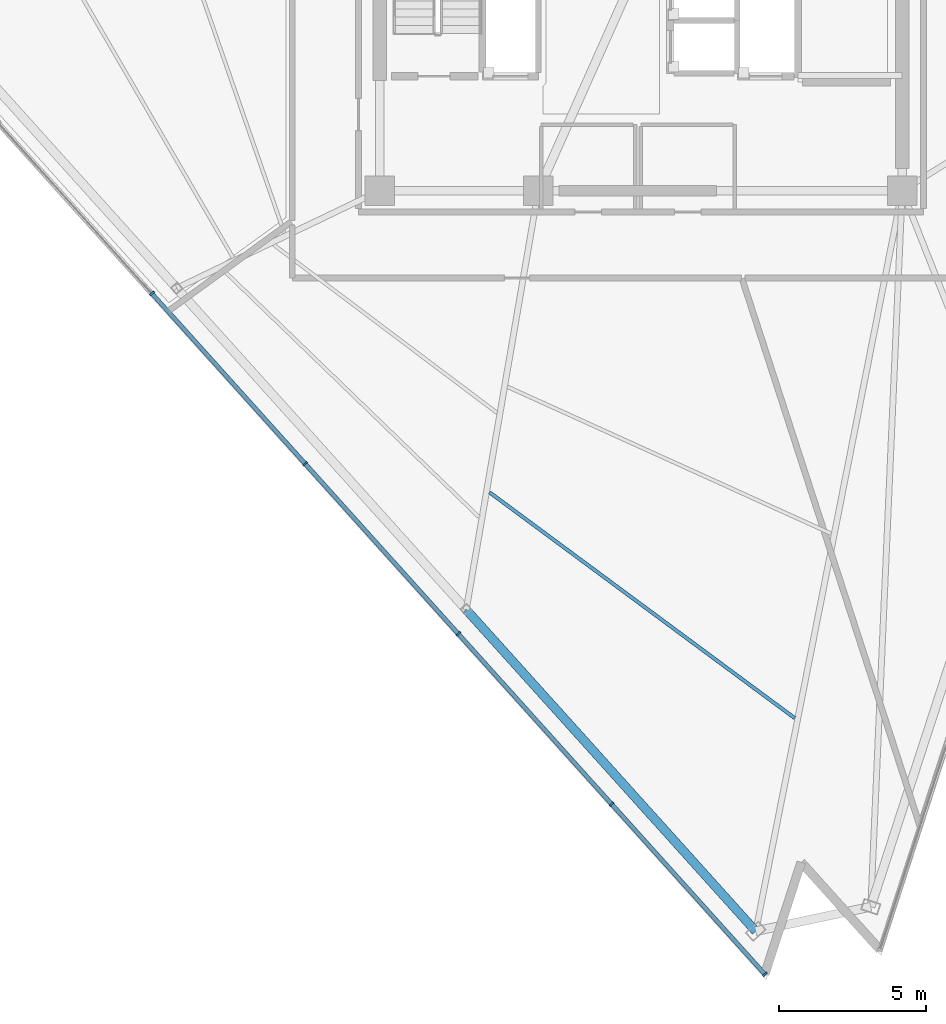
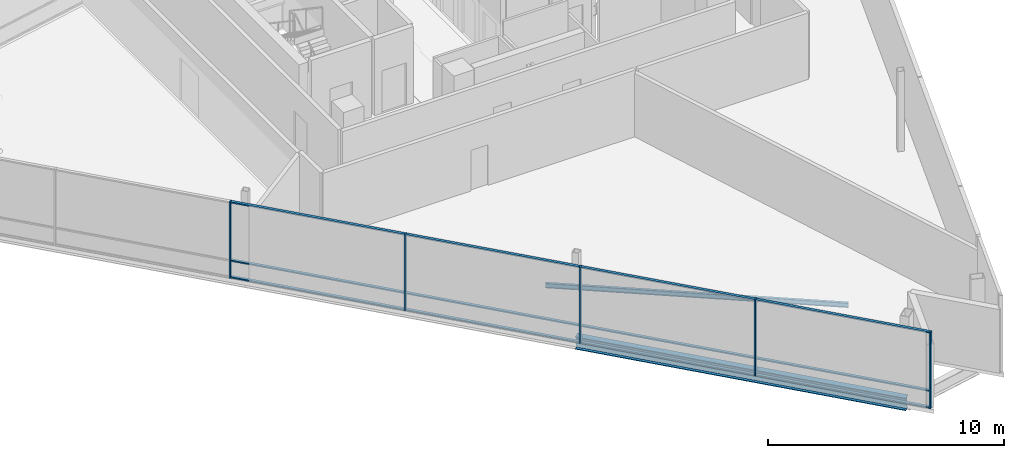
# One storey, part 3 of 16: 17 members, 2 beams, 1 element without a shape of its own.
"""IFC4 building model written with IfcOpenShell, lengths in metres."""

from ifc_helpers import new_model, si_unit, direction, frame, origin, origin_2d, place, context, subcontext, project, spatial, rectangle, i_section, extrude, material, layer, layer_set, material_profile, profile_set, type_object, element, aggregate, save


model = new_model("IFC4")

# Units and contexts
model_context = context("Model", 3, precision=1e-05, world=origin(), true_north=direction((0.0, 1.0)))
body_context = subcontext(model_context, "Body", "Model", "MODEL_VIEW")
ifc_project = project(units=[si_unit("LENGTHUNIT", "METRE"), si_unit("AREAUNIT", "SQUARE_METRE"), si_unit("VOLUMEUNIT", "CUBIC_METRE"), si_unit("PLANEANGLEUNIT", "RADIAN"), si_unit("MASSUNIT", "GRAM", prefix="KILO")], contexts=[model_context])

# Site, building, storey
site_placement = place(None, origin())
site = spatial("IfcSite", under=ifc_project, at=site_placement, CompositionType="ELEMENT")
building_placement = place(site_placement, origin())
building = spatial("IfcBuilding", under=site, at=building_placement, Name="Tharavind Bronze Gate", CompositionType="ELEMENT")
storey_placement = place(building_placement, frame((0.0, 0.0, 302.14990234375)))
storey = spatial("IfcBuildingStorey", under=building, at=storey_placement, Name="L78", CompositionType="ELEMENT", Elevation=302.14990234375)

# Curtain wall, members
ifc_material_1 = material(Name="Anodised Bronze Aluminium", Category="aluminium")
ifc_layer = layer(ifc_material_1, 0.219970703125)
ifc_layer_set = layer_set([ifc_layer], Name="Anodised Bronze Aluminium")
curtain_wall_type = type_object("IfcCurtainWallType", Name="UNITISED CURTAIN WALL CROWN", PredefinedType="USERDEFINED", material=ifc_layer_set)
curtain_wall_placement = place(storey_placement, origin())
curtain_wall = element("IfcCurtainWall", 1, at=curtain_wall_placement, inside=storey, type_object=curtain_wall_type, Name="L78 unitised curtain wall crown CW-L78-S1", ObjectType="UNITISED CURTAIN WALL", PredefinedType="USERDEFINED")
member_type_1 = type_object("IfcMemberType", Name="CURTAIN WALL BRONZE MULLION 65X180", PredefinedType="MULLION", material=ifc_material_1)
member_1_placement = place(storey_placement, frame((-16.663330078125, -11.101806640625, 0.0), z_axis=(0.0, 0.0, 1.0), x_axis=(0.669130606359, -0.743144825477, 0.0)))
member_1 = element("IfcMember", 2, at=member_1_placement, type_object=member_type_1, Name="CW-L78-S1 mullion 3", PredefinedType="MULLION", context=body_context, shape_type="SweptSolid", body=[
    extrude(rectangle(XDim=0.06494140625, YDim=0.179931640625, at=origin_2d()), origin(), (0.0, 0.0, 1.0), 3.949951171875),
])
member_2_placement = place(storey_placement, frame((-11.442138671875, -16.900390625, 0.0), z_axis=(0.0, 0.0, 1.0), x_axis=(0.669130606359, -0.743144825477, 0.0)))
member_2 = element("IfcMember", 3, at=member_2_placement, type_object=member_type_1, Name="CW-L78-S1 mullion 4", PredefinedType="MULLION", context=body_context, shape_type="SweptSolid", body=[
    extrude(rectangle(XDim=0.06494140625, YDim=0.179931640625, at=origin_2d()), origin(), (0.0, 0.0, 1.0), 3.949951171875),
])
member_3_placement = place(storey_placement, frame((-6.22119140625, -22.698974609375, 0.0), z_axis=(0.0, 0.0, 1.0), x_axis=(0.669130606359, -0.743144825477, 0.0)))
member_3 = element("IfcMember", 4, at=member_3_placement, type_object=member_type_1, Name="CW-L78-S1 mullion 5", PredefinedType="MULLION", context=body_context, shape_type="SweptSolid", body=[
    extrude(rectangle(XDim=0.06494140625, YDim=0.179931640625, at=origin_2d()), origin(), (0.0, 0.0, 1.0), 3.949951171875),
])
member_4_placement = place(storey_placement, frame((-1.000244140625, -28.49755859375, 0.0), z_axis=(0.0, 0.0, 1.0), x_axis=(0.669130606359, -0.743144825477, 0.0)))
member_4 = element("IfcMember", 5, at=member_4_placement, type_object=member_type_1, Name="CW-L78-S1 mullion 6", PredefinedType="MULLION", context=body_context, shape_type="SweptSolid", body=[
    extrude(rectangle(XDim=0.06494140625, YDim=0.179931640625, at=origin_2d()), origin(), (0.0, 0.0, 1.0), 3.949951171875),
])
member_5_placement = place(storey_placement, frame((4.220703125, -34.2958984375, 0.0), z_axis=(0.0, 0.0, 1.0), x_axis=(0.669130606359, -0.743144825477, 0.0)))
member_5 = element("IfcMember", 6, at=member_5_placement, type_object=member_type_1, Name="CW-L78-S1 mullion 7", PredefinedType="MULLION", context=body_context, shape_type="SweptSolid", body=[
    extrude(rectangle(XDim=0.06494140625, YDim=0.179931640625, at=origin_2d()), origin(), (0.0, 0.0, 1.0), 3.949951171875),
])
member_type_2 = type_object("IfcMemberType", Name="CURTAIN WALL BRONZE TRANSOM 65X140", PredefinedType="USERDEFINED", material=ifc_material_1)
member_6_placement = place(storey_placement, frame((-14.052734375, -14.001220703125, 0.000244140625), z_axis=(0.0, 0.0, 1.0), x_axis=(0.669130606359, -0.743144825477, 0.0)))
member_6 = element("IfcMember", 7, at=member_6_placement, type_object=member_type_2, Name="CW-L78-S1 transom TB3", ObjectType="TRANSOM", PredefinedType="USERDEFINED", context=body_context, shape_type="SweptSolid", body=[
    extrude(rectangle(XDim=7.749755859375, YDim=0.139892578125, at=origin_2d()), origin(), (0.0, 0.0, 1.0), 0.06494140625),
])
member_7_placement = place(storey_placement, frame((-14.052734375, -14.001220703125, 0.86767578125), z_axis=(0.0, 0.0, 1.0), x_axis=(0.669130606359, -0.743144825477, 0.0)))
member_7 = element("IfcMember", 8, at=member_7_placement, type_object=member_type_2, Name="CW-L78-S1 transom TS3", ObjectType="TRANSOM", PredefinedType="USERDEFINED", context=body_context, shape_type="SweptSolid", body=[
    extrude(rectangle(XDim=7.749755859375, YDim=0.139892578125, at=origin_2d()), origin(), (0.0, 0.0, 1.0), 0.06494140625),
])
member_8_placement = place(storey_placement, frame((-14.052734375, -14.001220703125, 3.885009765625), z_axis=(0.0, 0.0, 1.0), x_axis=(0.669130606359, -0.743144825477, 0.0)))
member_8 = element("IfcMember", 9, at=member_8_placement, type_object=member_type_2, Name="CW-L78-S1 transom TT3", ObjectType="TRANSOM", PredefinedType="USERDEFINED", context=body_context, shape_type="SweptSolid", body=[
    extrude(rectangle(XDim=7.749755859375, YDim=0.139892578125, at=origin_2d()), origin(), (0.0, 0.0, 1.0), 0.06494140625),
])
member_9_placement = place(storey_placement, frame((-8.831787109375, -19.7998046875, 0.000244140625), z_axis=(0.0, 0.0, 1.0), x_axis=(0.669130606359, -0.743144825477, 0.0)))
member_9 = element("IfcMember", 10, at=member_9_placement, type_object=member_type_2, Name="CW-L78-S1 transom TB4", ObjectType="TRANSOM", PredefinedType="USERDEFINED", context=body_context, shape_type="SweptSolid", body=[
    extrude(rectangle(XDim=7.749755859375, YDim=0.139892578125, at=origin_2d()), origin(), (0.0, 0.0, 1.0), 0.06494140625),
])
member_10_placement = place(storey_placement, frame((-8.831787109375, -19.7998046875, 0.86767578125), z_axis=(0.0, 0.0, 1.0), x_axis=(0.669130606359, -0.743144825477, 0.0)))
member_10 = element("IfcMember", 11, at=member_10_placement, type_object=member_type_2, Name="CW-L78-S1 transom TS4", ObjectType="TRANSOM", PredefinedType="USERDEFINED", context=body_context, shape_type="SweptSolid", body=[
    extrude(rectangle(XDim=7.749755859375, YDim=0.139892578125, at=origin_2d()), origin(), (0.0, 0.0, 1.0), 0.06494140625),
])
member_11_placement = place(storey_placement, frame((-8.831787109375, -19.7998046875, 3.885009765625), z_axis=(0.0, 0.0, 1.0), x_axis=(0.669130606359, -0.743144825477, 0.0)))
member_11 = element("IfcMember", 12, at=member_11_placement, type_object=member_type_2, Name="CW-L78-S1 transom TT4", ObjectType="TRANSOM", PredefinedType="USERDEFINED", context=body_context, shape_type="SweptSolid", body=[
    extrude(rectangle(XDim=7.749755859375, YDim=0.139892578125, at=origin_2d()), origin(), (0.0, 0.0, 1.0), 0.06494140625),
])
member_12_placement = place(storey_placement, frame((-3.610595703125, -25.59814453125, 0.000244140625), z_axis=(0.0, 0.0, 1.0), x_axis=(0.669130606359, -0.743144825477, 0.0)))
member_12 = element("IfcMember", 13, at=member_12_placement, type_object=member_type_2, Name="CW-L78-S1 transom TB5", ObjectType="TRANSOM", PredefinedType="USERDEFINED", context=body_context, shape_type="SweptSolid", body=[
    extrude(rectangle(XDim=7.749755859375, YDim=0.139892578125, at=origin_2d()), origin(), (0.0, 0.0, 1.0), 0.06494140625),
])
member_13_placement = place(storey_placement, frame((-3.610595703125, -25.59814453125, 0.86767578125), z_axis=(0.0, 0.0, 1.0), x_axis=(0.669130606359, -0.743144825477, 0.0)))
member_13 = element("IfcMember", 14, at=member_13_placement, type_object=member_type_2, Name="CW-L78-S1 transom TS5", ObjectType="TRANSOM", PredefinedType="USERDEFINED", context=body_context, shape_type="SweptSolid", body=[
    extrude(rectangle(XDim=7.749755859375, YDim=0.139892578125, at=origin_2d()), origin(), (0.0, 0.0, 1.0), 0.06494140625),
])
member_14_placement = place(storey_placement, frame((-3.610595703125, -25.59814453125, 3.885009765625), z_axis=(0.0, 0.0, 1.0), x_axis=(0.669130606359, -0.743144825477, 0.0)))
member_14 = element("IfcMember", 15, at=member_14_placement, type_object=member_type_2, Name="CW-L78-S1 transom TT5", ObjectType="TRANSOM", PredefinedType="USERDEFINED", context=body_context, shape_type="SweptSolid", body=[
    extrude(rectangle(XDim=7.749755859375, YDim=0.139892578125, at=origin_2d()), origin(), (0.0, 0.0, 1.0), 0.06494140625),
])
member_15_placement = place(storey_placement, frame((1.6103515625, -31.396728515625, 0.000244140625), z_axis=(0.0, 0.0, 1.0), x_axis=(0.669130606359, -0.743144825477, 0.0)))
member_15 = element("IfcMember", 16, at=member_15_placement, type_object=member_type_2, Name="CW-L78-S1 transom TB6", ObjectType="TRANSOM", PredefinedType="USERDEFINED", context=body_context, shape_type="SweptSolid", body=[
    extrude(rectangle(XDim=7.749755859375, YDim=0.139892578125, at=origin_2d()), origin(), (0.0, 0.0, 1.0), 0.06494140625),
])
member_16_placement = place(storey_placement, frame((1.6103515625, -31.396728515625, 0.86767578125), z_axis=(0.0, 0.0, 1.0), x_axis=(0.669130606359, -0.743144825477, 0.0)))
member_16 = element("IfcMember", 17, at=member_16_placement, type_object=member_type_2, Name="CW-L78-S1 transom TS6", ObjectType="TRANSOM", PredefinedType="USERDEFINED", context=body_context, shape_type="SweptSolid", body=[
    extrude(rectangle(XDim=7.749755859375, YDim=0.139892578125, at=origin_2d()), origin(), (0.0, 0.0, 1.0), 0.06494140625),
])
member_17_placement = place(storey_placement, frame((1.6103515625, -31.396728515625, 3.885009765625), z_axis=(0.0, 0.0, 1.0), x_axis=(0.669130606359, -0.743144825477, 0.0)))
member_17 = element("IfcMember", 18, at=member_17_placement, type_object=member_type_2, Name="CW-L78-S1 transom TT6", ObjectType="TRANSOM", PredefinedType="USERDEFINED", context=body_context, shape_type="SweptSolid", body=[
    extrude(rectangle(XDim=7.749755859375, YDim=0.139892578125, at=origin_2d()), origin(), (0.0, 0.0, 1.0), 0.06494140625),
])
aggregate(curtain_wall, [member_1, member_2, member_3, member_4, member_5, member_6, member_7, member_8, member_9, member_10, member_11, member_12, member_13, member_14, member_15, member_16, member_17])

# Beams
ifc_material_2 = material(Name="Steel S355", Category="steel")
ifc_material_profile_1 = material_profile(ifc_material_2, i_section(OverallWidth=0.300048828125, OverallDepth=0.64990234375, WebThickness=0.01611328125, FlangeThickness=0.031005859375, at=origin_2d()), Name="HE650B")
ifc_profile_set_1 = profile_set([ifc_material_profile_1], Name="Steel S355")
beam_type_1 = type_object("IfcBeamType", Name="PRIMARY GIRDER HE650B", PredefinedType="USERDEFINED", material=ifc_profile_set_1)
beam_1_placement = place(storey_placement, frame((-5.95361328125, -21.875244140625, -0.52490234375), z_axis=(0.669134014343, -0.7431417569, 0.0), x_axis=(0.7431417569, 0.669134014343, 0.0)))
element("IfcBeam", 19, at=beam_1_placement, inside=storey, type_object=beam_type_1, Name="L78 primary girder he650b BM-L78-PRG03", ObjectType="GIRDER", PredefinedType="USERDEFINED", context=body_context, shape_type="SweptSolid", body=[
    extrude(i_section(OverallWidth=0.300048828125, OverallDepth=0.64990234375, WebThickness=0.01611328125, FlangeThickness=0.031005859375, at=origin_2d()), origin(), (0.0, 0.0, 1.0), 14.7392578125),
])
ifc_material_profile_2 = material_profile(ifc_material_2, i_section(OverallWidth=0.1201171875, OverallDepth=0.239990234375, WebThickness=0.006103515625, FlangeThickness=0.009765625, at=origin_2d()), Name="IPE240")
ifc_profile_set_2 = profile_set([ifc_material_profile_2], Name="Steel S355")
beam_type_2 = type_object("IfcBeamType", Name="SECONDARY FLOOR JOIST IPE240", PredefinedType="JOIST", material=ifc_profile_set_2)
beam_2_placement = place(storey_placement, frame((-5.1611328125, -17.875732421875, -0.31982421875), z_axis=(0.803905058173, -0.594757645973, 0.0), x_axis=(0.594757645973, 0.803905058173, 0.0)))
element("IfcBeam", 20, at=beam_2_placement, inside=storey, type_object=beam_type_2, Name="L78 secondary floor joist ipe240 BM-L78-JSTB03", PredefinedType="JOIST", context=body_context, shape_type="SweptSolid", body=[
    extrude(i_section(OverallWidth=0.1201171875, OverallDepth=0.239990234375, WebThickness=0.006103515625, FlangeThickness=0.009765625, at=origin_2d()), origin(), (0.0, 0.0, 1.0), 12.937255859375),
])

save(model, "model.ifc")
